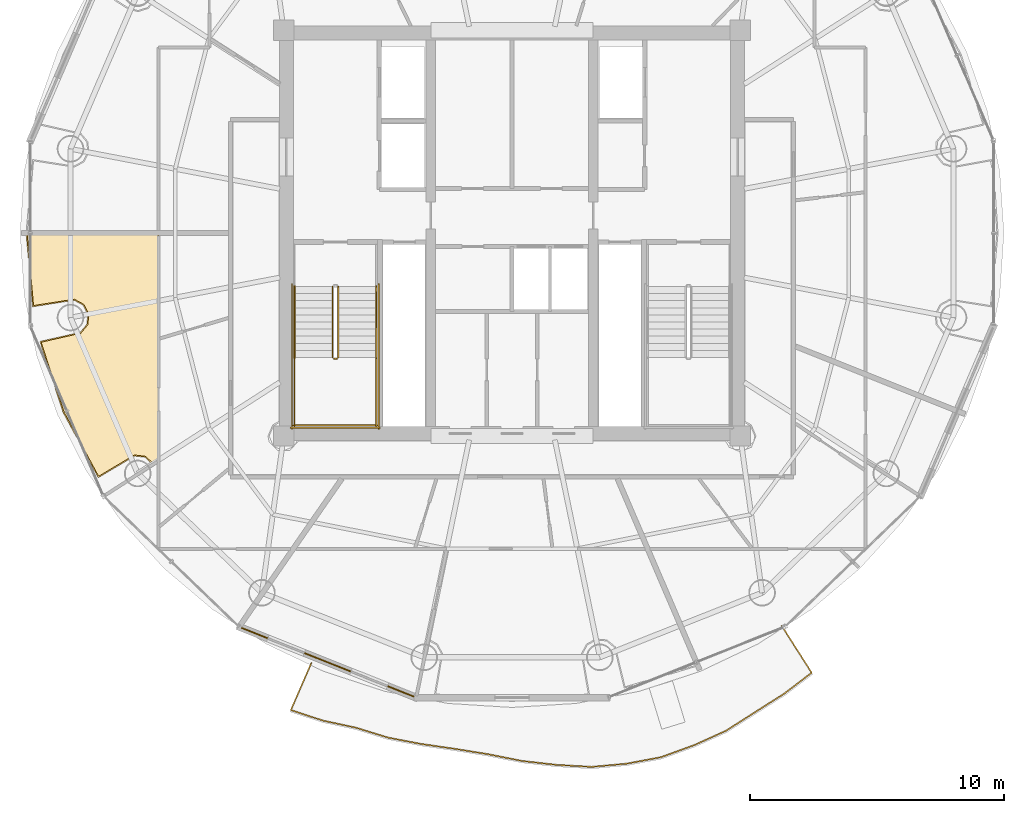
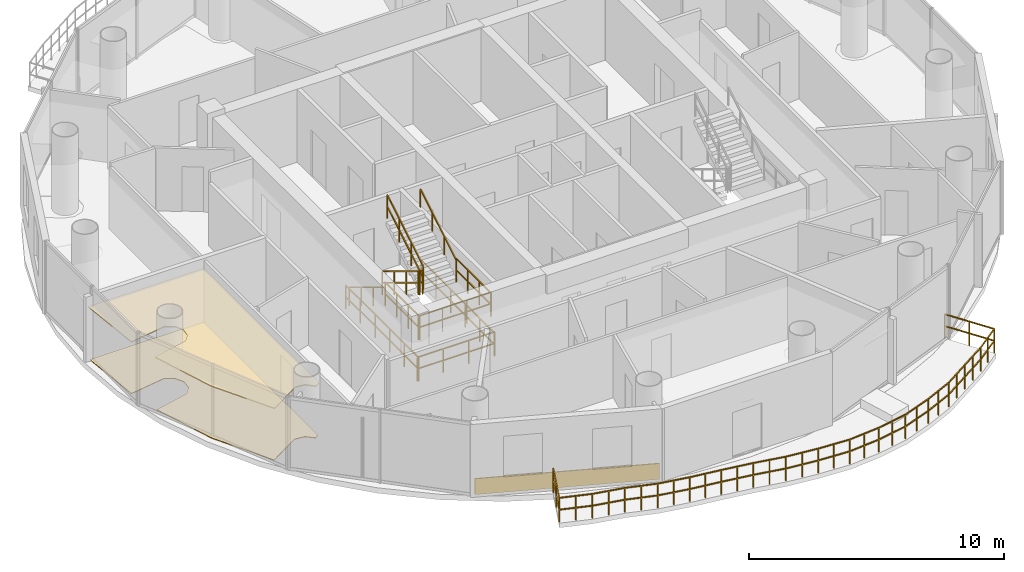
# One storey, part 22 of 24: 12 railings, 3 coverings.
"""IFC4 building model written with IfcOpenShell, lengths in metres."""

from ifc_helpers import new_model, si_unit, direction, frame, origin, origin_2d, place, context, subcontext, project, spatial, polyline, rectangle, outline, extrude, source, transform, mapped, material, layer, layer_set, type_object, element, save


model = new_model("IFC4")

# Units and contexts
model_context = context("Model", 3, precision=1e-05, world=origin(), true_north=direction((-0.2419218956, 0.970295726276)))
body_context = subcontext(model_context, "Body", "Model", "MODEL_VIEW")
ifc_project = project(units=[si_unit("LENGTHUNIT", "METRE"), si_unit("AREAUNIT", "SQUARE_METRE"), si_unit("VOLUMEUNIT", "CUBIC_METRE"), si_unit("PLANEANGLEUNIT", "RADIAN"), si_unit("MASSUNIT", "GRAM", prefix="KILO")], contexts=[model_context])

# Site, building, storey
site_placement = place(None, origin())
site = spatial("IfcSite", under=ifc_project, at=site_placement, CompositionType="ELEMENT")
building_placement = place(site_placement, origin())
building = spatial("IfcBuilding", under=site, at=building_placement, Name="Cobrevalo Terracotta Tower", CompositionType="ELEMENT")
storey_placement = place(building_placement, frame((0.0, 0.0, 278.199951171875)))
storey = spatial("IfcBuildingStorey", under=building, at=storey_placement, Name="L73", CompositionType="ELEMENT", Elevation=278.199951171875)

# Railing
ifc_material_1 = material(Name="Laminated structural glass and stainless steel", Category="steel")
railing_type_1 = type_object("IfcRailingType", Name="Balcony lobe structural glass & terracotta-cap balustrade 1180 mm", PredefinedType="BALUSTRADE", material=ifc_material_1)
railing_1_placement = place(storey_placement, frame((30.087646484375, 9.855224609375, 0.0)))
element("IfcRailing", 1, at=railing_1_placement, inside=storey, type_object=railing_type_1, Name="L73 spiralling balcony lobe balustrade 2", PredefinedType="BALUSTRADE", context=body_context, shape_type="SweptSolid", body=[
    extrude(rectangle(XDim=0.048095703125, YDim=0.048095703125, at=origin_2d()), frame((0.0, 0.0, 1.15576171875), z_axis=(-0.3980433985, -0.917366585892, 0.0), x_axis=(0.917366585892, -0.3980433985, 0.0)), (0.0, 0.0, 1.0), 2.027099609375),
    extrude(rectangle(XDim=0.048095703125, YDim=0.048095703125, at=origin_2d()), frame((0.0, 0.0, 0.58984375), z_axis=(-0.3980433985, -0.917366585892, 0.0), x_axis=(0.917366585892, -0.3980433985, 0.0)), (0.0, 0.0, 1.0), 2.027099609375),
    extrude(rectangle(XDim=0.048095703125, YDim=0.048095703125, at=origin_2d()), frame((-0.806884765625, -1.859619140625, 1.15576171875), z_axis=(0.950375436629, -0.311105334978, 0.0), x_axis=(0.311105334978, 0.950375436629, 0.0)), (0.0, 0.0, 1.0), 1.3310546875),
    extrude(rectangle(XDim=0.048095703125, YDim=0.048095703125, at=origin_2d()), frame((-0.806884765625, -1.859619140625, 0.58984375), z_axis=(0.950375436629, -0.311105334978, 0.0), x_axis=(0.311105334978, 0.950375436629, 0.0)), (0.0, 0.0, 1.0), 1.3310546875),
    extrude(rectangle(XDim=0.048095703125, YDim=0.048095703125, at=origin_2d()), frame((0.4580078125, -2.273681640625, 1.15576171875), z_axis=(0.977571341188, -0.21060454147, 0.0), x_axis=(0.21060454147, 0.977571341188, 0.0)), (0.0, 0.0, 1.0), 1.3330078125),
    extrude(rectangle(XDim=0.048095703125, YDim=0.048095703125, at=origin_2d()), frame((0.4580078125, -2.273681640625, 0.58984375), z_axis=(0.977571341188, -0.21060454147, 0.0), x_axis=(0.21060454147, 0.977571341188, 0.0)), (0.0, 0.0, 1.0), 1.3330078125),
    extrude(rectangle(XDim=0.048095703125, YDim=0.048095703125, at=origin_2d()), frame((1.76123046875, -2.554443359375, 1.15576171875), z_axis=(0.955463212441, -0.295110233087, 0.0), x_axis=(0.295110233087, 0.955463212441, 0.0)), (0.0, 0.0, 1.0), 1.32275390625),
    extrude(rectangle(XDim=0.048095703125, YDim=0.048095703125, at=origin_2d()), frame((1.76123046875, -2.554443359375, 0.58984375), z_axis=(0.955463212441, -0.295110233087, 0.0), x_axis=(0.295110233087, 0.955463212441, 0.0)), (0.0, 0.0, 1.0), 1.32275390625),
    extrude(rectangle(XDim=0.048095703125, YDim=0.048095703125, at=origin_2d()), frame((3.025146484375, -2.94482421875, 1.15576171875), z_axis=(0.982024812959, -0.188751865511, 0.0), x_axis=(0.188751865511, 0.982024812959, 0.0)), (0.0, 0.0, 1.0), 1.3271484375),
    extrude(rectangle(XDim=0.048095703125, YDim=0.048095703125, at=origin_2d()), frame((3.025146484375, -2.94482421875, 0.58984375), z_axis=(0.982024812959, -0.188751865511, 0.0), x_axis=(0.188751865511, 0.982024812959, 0.0)), (0.0, 0.0, 1.0), 1.3271484375),
    extrude(rectangle(XDim=0.048095703125, YDim=0.048095703125, at=origin_2d()), frame((4.328369140625, -3.1953125, 1.15576171875), z_axis=(0.989831224707, -0.142246780617, 0.0), x_axis=(0.142246780617, 0.989831224707, 0.0)), (0.0, 0.0, 1.0), 1.324951171875),
    extrude(rectangle(XDim=0.048095703125, YDim=0.048095703125, at=origin_2d()), frame((4.328369140625, -3.1953125, 0.58984375), z_axis=(0.989831224707, -0.142246780617, 0.0), x_axis=(0.142246780617, 0.989831224707, 0.0)), (0.0, 0.0, 1.0), 1.324951171875),
    extrude(rectangle(XDim=0.048095703125, YDim=0.048095703125, at=origin_2d()), frame((5.639892578125, -3.3837890625, 1.15576171875), z_axis=(0.987153001977, -0.159777816635, 0.0), x_axis=(0.159777816635, 0.987153001977, 0.0)), (0.0, 0.0, 1.0), 1.3369140625),
    extrude(rectangle(XDim=0.048095703125, YDim=0.048095703125, at=origin_2d()), frame((5.639892578125, -3.3837890625, 0.58984375), z_axis=(0.987153001977, -0.159777816635, 0.0), x_axis=(0.159777816635, 0.987153001977, 0.0)), (0.0, 0.0, 1.0), 1.3369140625),
    extrude(rectangle(XDim=0.048095703125, YDim=0.048095703125, at=origin_2d()), frame((6.959716796875, -3.597412109375, 1.15576171875), z_axis=(0.980841492671, -0.194807510775, 0.0), x_axis=(0.194807510775, 0.980841492671, 0.0)), (0.0, 0.0, 1.0), 1.363525390625),
    extrude(rectangle(XDim=0.048095703125, YDim=0.048095703125, at=origin_2d()), frame((6.959716796875, -3.597412109375, 0.58984375), z_axis=(0.980841492671, -0.194807510775, 0.0), x_axis=(0.194807510775, 0.980841492671, 0.0)), (0.0, 0.0, 1.0), 1.363525390625),
    extrude(rectangle(XDim=0.048095703125, YDim=0.048095703125, at=origin_2d()), frame((8.297119140625, -3.863037109375, 1.15576171875), z_axis=(0.993523513366, -0.113626706318, 0.0), x_axis=(0.113626706318, 0.993523513366, 0.0)), (0.0, 0.0, 1.0), 1.375),
    extrude(rectangle(XDim=0.048095703125, YDim=0.048095703125, at=origin_2d()), frame((8.297119140625, -3.863037109375, 0.58984375), z_axis=(0.993523513366, -0.113626706318, 0.0), x_axis=(0.113626706318, 0.993523513366, 0.0)), (0.0, 0.0, 1.0), 1.375),
    extrude(rectangle(XDim=0.048095703125, YDim=0.048095703125, at=origin_2d()), frame((9.663330078125, -4.019287109375, 1.15576171875), z_axis=(0.998364169399, -0.057175040538, 0.0), x_axis=(0.057175040538, 0.998364169399, 0.0)), (0.0, 0.0, 1.0), 1.3876953125),
    extrude(rectangle(XDim=0.048095703125, YDim=0.048095703125, at=origin_2d()), frame((9.663330078125, -4.019287109375, 0.58984375), z_axis=(0.998364169399, -0.057175040538, 0.0), x_axis=(0.057175040538, 0.998364169399, 0.0)), (0.0, 0.0, 1.0), 1.3876953125),
    extrude(rectangle(XDim=0.048095703125, YDim=0.048095703125, at=origin_2d()), frame((11.048828125, -4.0986328125, 1.15576171875), z_axis=(0.995881631973, 0.090662975351, 0.0), x_axis=(-0.090662975351, 0.995881631973, 0.0)), (0.0, 0.0, 1.0), 1.384033203125),
    extrude(rectangle(XDim=0.048095703125, YDim=0.048095703125, at=origin_2d()), frame((11.048828125, -4.0986328125, 0.58984375), z_axis=(0.995881631973, 0.090662975351, 0.0), x_axis=(-0.090662975351, 0.995881631973, 0.0)), (0.0, 0.0, 1.0), 1.384033203125),
    extrude(rectangle(XDim=0.048095703125, YDim=0.048095703125, at=origin_2d()), frame((12.42724609375, -3.97314453125, 1.15576171875), z_axis=(0.982716156849, 0.185118759363, 0.0), x_axis=(-0.185118759363, 0.982716156849, 0.0)), (0.0, 0.0, 1.0), 1.384765625),
    extrude(rectangle(XDim=0.048095703125, YDim=0.048095703125, at=origin_2d()), frame((12.42724609375, -3.97314453125, 0.58984375), z_axis=(0.982716156849, 0.185118759363, 0.0), x_axis=(-0.185118759363, 0.982716156849, 0.0)), (0.0, 0.0, 1.0), 1.384765625),
    extrude(rectangle(XDim=0.048095703125, YDim=0.048095703125, at=origin_2d()), frame((13.7880859375, -3.716796875, 1.15576171875), z_axis=(0.939839758475, 0.341615614968, 0.0), x_axis=(-0.341615614968, 0.939839758475, 0.0)), (0.0, 0.0, 1.0), 1.38427734375),
    extrude(rectangle(XDim=0.048095703125, YDim=0.048095703125, at=origin_2d()), frame((13.7880859375, -3.716796875, 0.58984375), z_axis=(0.939839758475, 0.341615614968, 0.0), x_axis=(-0.341615614968, 0.939839758475, 0.0)), (0.0, 0.0, 1.0), 1.38427734375),
    extrude(rectangle(XDim=0.048095703125, YDim=0.048095703125, at=origin_2d()), frame((15.089111328125, -3.243896484375, 1.15576171875), z_axis=(0.911327761932, 0.411681564236, 0.0), x_axis=(-0.411681564236, 0.911327761932, 0.0)), (0.0, 0.0, 1.0), 1.37939453125),
    extrude(rectangle(XDim=0.048095703125, YDim=0.048095703125, at=origin_2d()), frame((15.089111328125, -3.243896484375, 0.58984375), z_axis=(0.911327761932, 0.411681564236, 0.0), x_axis=(-0.411681564236, 0.911327761932, 0.0)), (0.0, 0.0, 1.0), 1.37939453125),
    extrude(rectangle(XDim=0.048095703125, YDim=0.048095703125, at=origin_2d()), frame((16.34619140625, -2.676025390625, 1.15576171875), z_axis=(0.842618217068, 0.538511411454, 0.0), x_axis=(-0.538511411454, 0.842618217068, 0.0)), (0.0, 0.0, 1.0), 1.380126953125),
    extrude(rectangle(XDim=0.048095703125, YDim=0.048095703125, at=origin_2d()), frame((16.34619140625, -2.676025390625, 0.58984375), z_axis=(0.842618217068, 0.538511411454, 0.0), x_axis=(-0.538511411454, 0.842618217068, 0.0)), (0.0, 0.0, 1.0), 1.380126953125),
    extrude(rectangle(XDim=0.048095703125, YDim=0.048095703125, at=origin_2d()), frame((17.509033203125, -1.932861328125, 1.15576171875), z_axis=(0.844141856113, 0.536119880957, 0.0), x_axis=(-0.536119880957, 0.844141856113, 0.0)), (0.0, 0.0, 1.0), 1.359375),
    extrude(rectangle(XDim=0.048095703125, YDim=0.048095703125, at=origin_2d()), frame((17.509033203125, -1.932861328125, 0.58984375), z_axis=(0.844141856113, 0.536119880957, 0.0), x_axis=(-0.536119880957, 0.844141856113, 0.0)), (0.0, 0.0, 1.0), 1.359375),
    extrude(rectangle(XDim=0.048095703125, YDim=0.048095703125, at=origin_2d()), frame((18.656494140625, -1.2041015625, 1.15576171875), z_axis=(0.794824934225, 0.606838795673, 0.0), x_axis=(-0.606838795673, 0.794824934225, 0.0)), (0.0, 0.0, 1.0), 1.349365234375),
    extrude(rectangle(XDim=0.048095703125, YDim=0.048095703125, at=origin_2d()), frame((18.656494140625, -1.2041015625, 0.58984375), z_axis=(0.794824934225, 0.606838795673, 0.0), x_axis=(-0.606838795673, 0.794824934225, 0.0)), (0.0, 0.0, 1.0), 1.349365234375),
    extrude(rectangle(XDim=0.048095703125, YDim=0.048095703125, at=origin_2d()), frame((19.72900390625, -0.38525390625, 1.15576171875), z_axis=(-0.53815843242, 0.842843699398, 0.0), x_axis=(-0.842843699398, -0.53815843242, 0.0)), (0.0, 0.0, 1.0), 2.190673828125),
    extrude(rectangle(XDim=0.048095703125, YDim=0.048095703125, at=origin_2d()), frame((19.72900390625, -0.38525390625, 0.58984375), z_axis=(-0.53815843242, 0.842843699398, 0.0), x_axis=(-0.842843699398, -0.53815843242, 0.0)), (0.0, 0.0, 1.0), 2.190673828125),
    extrude(rectangle(XDim=0.0419921875, YDim=0.0419921875, at=origin_2d()), origin(), (0.0, 0.0, 1.0), 1.1318359375),
    extrude(rectangle(XDim=0.0419921875, YDim=0.0419921875, at=origin_2d()), frame((-0.4033203125, -0.9296875, 0.0)), (0.0, 0.0, 1.0), 1.1318359375),
    extrude(rectangle(XDim=0.0419921875, YDim=0.0419921875, at=origin_2d()), frame((-0.806884765625, -1.859619140625, 0.0)), (0.0, 0.0, 1.0), 1.1318359375),
    extrude(rectangle(XDim=0.0419921875, YDim=0.0419921875, at=origin_2d()), frame((-0.17431640625, -2.066650390625, 0.0)), (0.0, 0.0, 1.0), 1.1318359375),
    extrude(rectangle(XDim=0.0419921875, YDim=0.0419921875, at=origin_2d()), frame((0.4580078125, -2.273681640625, 0.0)), (0.0, 0.0, 1.0), 1.1318359375),
    extrude(rectangle(XDim=0.0419921875, YDim=0.0419921875, at=origin_2d()), frame((1.109619140625, -2.4140625, 0.0)), (0.0, 0.0, 1.0), 1.1318359375),
    extrude(rectangle(XDim=0.0419921875, YDim=0.0419921875, at=origin_2d()), frame((1.76123046875, -2.554443359375, 0.0)), (0.0, 0.0, 1.0), 1.1318359375),
    extrude(rectangle(XDim=0.0419921875, YDim=0.0419921875, at=origin_2d()), frame((2.39306640625, -2.74951171875, 0.0)), (0.0, 0.0, 1.0), 1.1318359375),
    extrude(rectangle(XDim=0.0419921875, YDim=0.0419921875, at=origin_2d()), frame((3.025146484375, -2.94482421875, 0.0)), (0.0, 0.0, 1.0), 1.1318359375),
    extrude(rectangle(XDim=0.0419921875, YDim=0.0419921875, at=origin_2d()), frame((3.6767578125, -3.070068359375, 0.0)), (0.0, 0.0, 1.0), 1.1318359375),
    extrude(rectangle(XDim=0.0419921875, YDim=0.0419921875, at=origin_2d()), frame((4.328369140625, -3.1953125, 0.0)), (0.0, 0.0, 1.0), 1.1318359375),
    extrude(rectangle(XDim=0.0419921875, YDim=0.0419921875, at=origin_2d()), frame((4.984130859375, -3.28955078125, 0.0)), (0.0, 0.0, 1.0), 1.1318359375),
    extrude(rectangle(XDim=0.0419921875, YDim=0.0419921875, at=origin_2d()), frame((5.639892578125, -3.3837890625, 0.0)), (0.0, 0.0, 1.0), 1.1318359375),
    extrude(rectangle(XDim=0.0419921875, YDim=0.0419921875, at=origin_2d()), frame((6.2998046875, -3.49072265625, 0.0)), (0.0, 0.0, 1.0), 1.1318359375),
    extrude(rectangle(XDim=0.0419921875, YDim=0.0419921875, at=origin_2d()), frame((6.959716796875, -3.597412109375, 0.0)), (0.0, 0.0, 1.0), 1.1318359375),
    extrude(rectangle(XDim=0.0419921875, YDim=0.0419921875, at=origin_2d()), frame((7.62841796875, -3.730224609375, 0.0)), (0.0, 0.0, 1.0), 1.1318359375),
    extrude(rectangle(XDim=0.0419921875, YDim=0.0419921875, at=origin_2d()), frame((8.297119140625, -3.863037109375, 0.0)), (0.0, 0.0, 1.0), 1.1318359375),
    extrude(rectangle(XDim=0.0419921875, YDim=0.0419921875, at=origin_2d()), frame((8.980224609375, -3.941162109375, 0.0)), (0.0, 0.0, 1.0), 1.1318359375),
    extrude(rectangle(XDim=0.0419921875, YDim=0.0419921875, at=origin_2d()), frame((9.663330078125, -4.019287109375, 0.0)), (0.0, 0.0, 1.0), 1.1318359375),
    extrude(rectangle(XDim=0.0419921875, YDim=0.0419921875, at=origin_2d()), frame((10.35595703125, -4.05908203125, 0.0)), (0.0, 0.0, 1.0), 1.1318359375),
    extrude(rectangle(XDim=0.0419921875, YDim=0.0419921875, at=origin_2d()), frame((11.048828125, -4.0986328125, 0.0)), (0.0, 0.0, 1.0), 1.1318359375),
    extrude(rectangle(XDim=0.0419921875, YDim=0.0419921875, at=origin_2d()), frame((11.738037109375, -4.035888671875, 0.0)), (0.0, 0.0, 1.0), 1.1318359375),
    extrude(rectangle(XDim=0.0419921875, YDim=0.0419921875, at=origin_2d()), frame((12.42724609375, -3.97314453125, 0.0)), (0.0, 0.0, 1.0), 1.1318359375),
    extrude(rectangle(XDim=0.0419921875, YDim=0.0419921875, at=origin_2d()), frame((13.107666015625, -3.844970703125, 0.0)), (0.0, 0.0, 1.0), 1.1318359375),
    extrude(rectangle(XDim=0.0419921875, YDim=0.0419921875, at=origin_2d()), frame((13.7880859375, -3.716796875, 0.0)), (0.0, 0.0, 1.0), 1.1318359375),
    extrude(rectangle(XDim=0.0419921875, YDim=0.0419921875, at=origin_2d()), frame((14.4384765625, -3.48046875, 0.0)), (0.0, 0.0, 1.0), 1.1318359375),
    extrude(rectangle(XDim=0.0419921875, YDim=0.0419921875, at=origin_2d()), frame((15.089111328125, -3.243896484375, 0.0)), (0.0, 0.0, 1.0), 1.1318359375),
    extrude(rectangle(XDim=0.0419921875, YDim=0.0419921875, at=origin_2d()), frame((15.7177734375, -2.9599609375, 0.0)), (0.0, 0.0, 1.0), 1.1318359375),
    extrude(rectangle(XDim=0.0419921875, YDim=0.0419921875, at=origin_2d()), frame((16.34619140625, -2.676025390625, 0.0)), (0.0, 0.0, 1.0), 1.1318359375),
    extrude(rectangle(XDim=0.0419921875, YDim=0.0419921875, at=origin_2d()), frame((16.927734375, -2.304443359375, 0.0)), (0.0, 0.0, 1.0), 1.1318359375),
    extrude(rectangle(XDim=0.0419921875, YDim=0.0419921875, at=origin_2d()), frame((17.509033203125, -1.932861328125, 0.0)), (0.0, 0.0, 1.0), 1.1318359375),
    extrude(rectangle(XDim=0.0419921875, YDim=0.0419921875, at=origin_2d()), frame((18.082763671875, -1.568359375, 0.0)), (0.0, 0.0, 1.0), 1.1318359375),
    extrude(rectangle(XDim=0.0419921875, YDim=0.0419921875, at=origin_2d()), frame((18.656494140625, -1.2041015625, 0.0)), (0.0, 0.0, 1.0), 1.1318359375),
    extrude(rectangle(XDim=0.0419921875, YDim=0.0419921875, at=origin_2d()), frame((19.19287109375, -0.794677734375, 0.0)), (0.0, 0.0, 1.0), 1.1318359375),
    extrude(rectangle(XDim=0.0419921875, YDim=0.0419921875, at=origin_2d()), frame((19.72900390625, -0.38525390625, 0.0)), (0.0, 0.0, 1.0), 1.1318359375),
    extrude(rectangle(XDim=0.0419921875, YDim=0.0419921875, at=origin_2d()), frame((19.1396484375, 0.5380859375, 0.0)), (0.0, 0.0, 1.0), 1.1318359375),
    extrude(rectangle(XDim=0.0419921875, YDim=0.0419921875, at=origin_2d()), frame((18.550048828125, 1.461181640625, 0.0)), (0.0, 0.0, 1.0), 1.1318359375),
])

# Coverings
ifc_material_2 = material(Name="Engineered Brazilian hardwood flooring", Category="wood")
ifc_layer_1 = layer(ifc_material_2, 0.028076171875)
ifc_layer_set_1 = layer_set([ifc_layer_1], Name="Engineered Brazilian hardwood flooring")
covering_type_1 = type_object("IfcCoveringType", Name="Engineered Hardwood Suite Flooring 28", PredefinedType="FLOORING", material=ifc_layer_set_1)
covering_1_placement = place(storey_placement, origin())
element("IfcCovering", 2, at=covering_1_placement, inside=storey, type_object=covering_type_1, Name="Flat L73B Living and Dining Room floor finish", PredefinedType="FLOORING", context=body_context, shape_type="SweptSolid", body=[
    extrude(outline(polyline([(20.33544921875, 19.751220703125), (19.43505859375, 22.49951171875), (20.99755859375, 22.855224609375), (21.272705078125, 23.185302734375), (21.318115234375, 23.612548828125), (21.118408203125, 23.9931640625), (20.740966796875, 24.198486328125), (19.1357421875, 23.948974609375), (18.88134765625, 26.780029296875), (24.034912109375, 26.780029296875), (24.034912109375, 17.829345703125), (23.864501953125, 17.719482421875), (23.537109375, 18.005859375), (23.1103515625, 18.055908203125), (21.699951171875, 17.217529296875), (20.33544921875, 19.751220703125)])), origin(), (0.0, 0.0, 1.0), 0.030029296875),
])
ifc_material_3 = material(Name="Acoustic perforated gypsum ceiling", Category="gypsum")
ifc_layer_2 = layer(ifc_material_3, 0.050048828125)
ifc_layer_set_2 = layer_set([ifc_layer_2], Name="Acoustic perforated gypsum ceiling")
covering_type_2 = type_object("IfcCoveringType", Name="Perforated Acoustic Gypsum Ceiling 50", PredefinedType="CEILING", material=ifc_layer_set_2)
covering_2_placement = place(storey_placement, frame((0.0, 0.0, 2.5)))
element("IfcCovering", 3, at=covering_2_placement, inside=storey, type_object=covering_type_2, Name="Flat L73B Living and Dining Room acoustic ceiling", PredefinedType="CEILING", context=body_context, shape_type="SweptSolid", body=[
    extrude(outline(polyline([(20.2939453125, 19.7333984375), (19.3818359375, 22.53515625), (20.97265625, 22.89306640625), (21.23095703125, 23.202880859375), (21.273681640625, 23.60400390625), (21.086181640625, 23.96142578125), (20.731689453125, 24.154296875), (19.100830078125, 23.896484375), (18.833251953125, 26.824951171875), (24.080078125, 26.824951171875), (24.080078125, 17.804931640625), (23.853271484375, 17.658935546875), (23.51904296875, 17.964599609375), (23.118408203125, 18.011474609375), (21.687744140625, 17.15625), (20.2939453125, 19.7333984375)])), origin(), (0.0, 0.0, 1.0), 0.050048828125),
])

# Railings
ifc_material_4 = material(Name="Brushed stainless steel", Category="steel")
railing_type_2 = type_object("IfcRailingType", Name="Stainless Steel Stair Handrail 900", PredefinedType="HANDRAIL", material=ifc_material_4)
railing_2_placement = place(storey_placement, frame((29.425048828125, 24.699951171875, 0.17041015625)))
element("IfcRailing", 4, at=railing_2_placement, inside=storey, type_object=railing_type_2, Name="L73 ST-1 stair handrail 1", PredefinedType="HANDRAIL", context=body_context, shape_type="SweptSolid", body=[
    extrude(rectangle(XDim=0.048095703125, YDim=0.048095703125, at=origin_2d()), frame((0.0, 0.0, 0.8759765625), z_axis=(0.0, -0.854169791009, 0.51999420009), x_axis=(1.0, 0.0, 0.0)), (0.0, 0.0, 1.0), 3.278076171875),
    extrude(rectangle(XDim=0.0419921875, YDim=0.0419921875, at=origin_2d()), origin(), (0.0, 0.0, 1.0), 0.851806640625),
    extrude(rectangle(XDim=0.0419921875, YDim=0.0419921875, at=origin_2d()), frame((0.0, -0.933349609375, 0.568115234375)), (0.0, 0.0, 1.0), 0.851806640625),
    extrude(rectangle(XDim=0.0419921875, YDim=0.0419921875, at=origin_2d()), frame((0.0, -1.86669921875, 1.136474609375)), (0.0, 0.0, 1.0), 0.851806640625),
    extrude(rectangle(XDim=0.0419921875, YDim=0.0419921875, at=origin_2d()), frame((0.0, -2.800048828125, 1.70458984375)), (0.0, 0.0, 1.0), 0.851806640625),
])
railing_3_placement = place(storey_placement, frame((32.64501953125, 21.89990234375, 2.04541015625)))
element("IfcRailing", 5, at=railing_3_placement, inside=storey, type_object=railing_type_2, Name="L73 ST-1 stair handrail 2", PredefinedType="HANDRAIL", context=body_context, shape_type="SweptSolid", body=[
    extrude(rectangle(XDim=0.048095703125, YDim=0.048095703125, at=origin_2d()), frame((0.0, 0.0, 0.8759765625), z_axis=(0.0, 0.854169791009, 0.51999420009), x_axis=(-1.0, 0.0, 0.0)), (0.0, 0.0, 1.0), 3.278076171875),
    extrude(rectangle(XDim=0.0419921875, YDim=0.0419921875, at=origin_2d()), origin(), (0.0, 0.0, 1.0), 0.851806640625),
    extrude(rectangle(XDim=0.0419921875, YDim=0.0419921875, at=origin_2d()), frame((0.0, 0.933349609375, 0.568115234375)), (0.0, 0.0, 1.0), 0.851806640625),
    extrude(rectangle(XDim=0.0419921875, YDim=0.0419921875, at=origin_2d()), frame((0.0, 1.86669921875, 1.136474609375)), (0.0, 0.0, 1.0), 0.851806640625),
    extrude(rectangle(XDim=0.0419921875, YDim=0.0419921875, at=origin_2d()), frame((0.0, 2.800048828125, 1.70458984375)), (0.0, 0.0, 1.0), 0.851806640625),
])
ifc_material_5 = material(Name="Painted galvanized steel", Category="steel")
railing_type_3 = type_object("IfcRailingType", Name="Stair Well Guard Balustrade 1150", PredefinedType="GUARDRAIL", material=ifc_material_5)
railing_4_placement = place(storey_placement, frame((30.925048828125, 24.699951171875, 0.17041015625)))
element("IfcRailing", 6, at=railing_4_placement, inside=storey, type_object=railing_type_3, Name="L73 ST-1 stair guard 1", PredefinedType="GUARDRAIL", context=body_context, shape_type="SweptSolid", body=[
    extrude(rectangle(XDim=0.048095703125, YDim=0.048095703125, at=origin_2d()), frame((0.0, 0.0, 1.1259765625), z_axis=(0.0, -0.854169791009, 0.51999420009), x_axis=(1.0, 0.0, 0.0)), (0.0, 0.0, 1.0), 3.278076171875),
    extrude(rectangle(XDim=0.048095703125, YDim=0.048095703125, at=origin_2d()), frame((0.0, 0.0, 0.574951171875), z_axis=(0.0, -0.854169791009, 0.51999420009), x_axis=(1.0, 0.0, 0.0)), (0.0, 0.0, 1.0), 3.278076171875),
    extrude(rectangle(XDim=0.0419921875, YDim=0.0419921875, at=origin_2d()), origin(), (0.0, 0.0, 1.0), 1.101806640625),
    extrude(rectangle(XDim=0.0419921875, YDim=0.0419921875, at=origin_2d()), frame((0.0, -0.933349609375, 0.568115234375)), (0.0, 0.0, 1.0), 1.101806640625),
    extrude(rectangle(XDim=0.0419921875, YDim=0.0419921875, at=origin_2d()), frame((0.0, -1.86669921875, 1.136474609375)), (0.0, 0.0, 1.0), 1.101806640625),
    extrude(rectangle(XDim=0.0419921875, YDim=0.0419921875, at=origin_2d()), frame((0.0, -2.800048828125, 1.70458984375)), (0.0, 0.0, 1.0), 1.101806640625),
])
railing_5_placement = place(storey_placement, frame((30.97509765625, 21.85009765625, 1.875)))
element("IfcRailing", 7, at=railing_5_placement, inside=storey, type_object=railing_type_3, Name="L73 ST-1 stair guard 2", PredefinedType="GUARDRAIL", context=body_context, shape_type="SweptSolid", body=[
    extrude(rectangle(XDim=0.048095703125, YDim=0.048095703125, at=origin_2d()), frame((0.0, 0.0, 1.1259765625), z_axis=(1.0, 0.0, 0.0), x_axis=(0.0, 1.0, 0.0)), (0.0, 0.0, 1.0), 0.119873046875),
    extrude(rectangle(XDim=0.048095703125, YDim=0.048095703125, at=origin_2d()), frame((0.0, 0.0, 0.574951171875), z_axis=(1.0, 0.0, 0.0), x_axis=(0.0, 1.0, 0.0)), (0.0, 0.0, 1.0), 0.119873046875),
    extrude(rectangle(XDim=0.0419921875, YDim=0.0419921875, at=origin_2d()), origin(), (0.0, 0.0, 1.0), 1.101806640625),
    extrude(rectangle(XDim=0.0419921875, YDim=0.0419921875, at=origin_2d()), frame((0.119873046875, 0.0, 0.0)), (0.0, 0.0, 1.0), 1.101806640625),
])
for number, where, name in (
    (8, (29.425048828125, 21.89990234375, 1.875), "L73 ST-1 stair guard 3"),
    (9, (32.64501953125, 21.89990234375, 1.875), "L73 ST-1 stair guard 4"),
):
    element("IfcRailing", number, at=place(storey_placement, frame(where)), inside=storey, type_object=railing_type_3, Name=name, PredefinedType="GUARDRAIL", context=body_context, shape_type="SweptSolid", body=[
        extrude(rectangle(XDim=0.048095703125, YDim=0.048095703125, at=origin_2d()), frame((0.0, 0.0, 1.1259765625), z_axis=(0.0, -1.0, 0.0), x_axis=(1.0, 0.0, 0.0)), (0.0, 0.0, 1.0), 2.724853515625),
        extrude(rectangle(XDim=0.048095703125, YDim=0.048095703125, at=origin_2d()), frame((0.0, 0.0, 0.574951171875), z_axis=(0.0, -1.0, 0.0), x_axis=(1.0, 0.0, 0.0)), (0.0, 0.0, 1.0), 2.724853515625),
        extrude(rectangle(XDim=0.0419921875, YDim=0.0419921875, at=origin_2d()), origin(), (0.0, 0.0, 1.0), 1.101806640625),
        extrude(rectangle(XDim=0.0419921875, YDim=0.0419921875, at=origin_2d()), frame((0.0, -0.908203125, 0.0)), (0.0, 0.0, 1.0), 1.101806640625),
        extrude(rectangle(XDim=0.0419921875, YDim=0.0419921875, at=origin_2d()), frame((0.0, -1.816650390625, 0.0)), (0.0, 0.0, 1.0), 1.101806640625),
        extrude(rectangle(XDim=0.0419921875, YDim=0.0419921875, at=origin_2d()), frame((0.0, -2.724853515625, 0.0)), (0.0, 0.0, 1.0), 1.101806640625),
    ])
railing_6_placement = place(storey_placement, frame((29.375, 19.22509765625, 1.875)))
element("IfcRailing", 10, at=railing_6_placement, inside=storey, type_object=railing_type_3, Name="L73 ST-1 stair guard 5", PredefinedType="GUARDRAIL", context=body_context, shape_type="SweptSolid", body=[
    extrude(rectangle(XDim=0.048095703125, YDim=0.048095703125, at=origin_2d()), frame((0.0, 0.0, 1.1259765625), z_axis=(1.0, 0.0, 0.0), x_axis=(0.0, 1.0, 0.0)), (0.0, 0.0, 1.0), 3.320068359375),
    extrude(rectangle(XDim=0.048095703125, YDim=0.048095703125, at=origin_2d()), frame((0.0, 0.0, 0.574951171875), z_axis=(1.0, 0.0, 0.0), x_axis=(0.0, 1.0, 0.0)), (0.0, 0.0, 1.0), 3.320068359375),
    extrude(rectangle(XDim=0.0419921875, YDim=0.0419921875, at=origin_2d()), origin(), (0.0, 0.0, 1.0), 1.101806640625),
    extrude(rectangle(XDim=0.0419921875, YDim=0.0419921875, at=origin_2d()), frame((1.106689453125, 0.0, 0.0)), (0.0, 0.0, 1.0), 1.101806640625),
    extrude(rectangle(XDim=0.0419921875, YDim=0.0419921875, at=origin_2d()), frame((2.21337890625, 0.0, 0.0)), (0.0, 0.0, 1.0), 1.101806640625),
    extrude(rectangle(XDim=0.0419921875, YDim=0.0419921875, at=origin_2d()), frame((3.320068359375, 0.0, 0.0)), (0.0, 0.0, 1.0), 1.101806640625),
])
railing_7_placement = place(storey_placement, frame((31.14501953125, 21.89990234375, 2.04541015625)))
element("IfcRailing", 11, at=railing_7_placement, inside=storey, type_object=railing_type_3, Name="L73 ST-1 stair guard 6", PredefinedType="GUARDRAIL", context=body_context, shape_type="SweptSolid", body=[
    extrude(rectangle(XDim=0.048095703125, YDim=0.048095703125, at=origin_2d()), frame((0.0, 0.0, 1.1259765625), z_axis=(0.0, 0.854169791009, 0.51999420009), x_axis=(-1.0, 0.0, 0.0)), (0.0, 0.0, 1.0), 3.278076171875),
    extrude(rectangle(XDim=0.048095703125, YDim=0.048095703125, at=origin_2d()), frame((0.0, 0.0, 0.574951171875), z_axis=(0.0, 0.854169791009, 0.51999420009), x_axis=(-1.0, 0.0, 0.0)), (0.0, 0.0, 1.0), 3.278076171875),
    extrude(rectangle(XDim=0.0419921875, YDim=0.0419921875, at=origin_2d()), origin(), (0.0, 0.0, 1.0), 1.101806640625),
    extrude(rectangle(XDim=0.0419921875, YDim=0.0419921875, at=origin_2d()), frame((0.0, 0.933349609375, 0.568115234375)), (0.0, 0.0, 1.0), 1.101806640625),
    extrude(rectangle(XDim=0.0419921875, YDim=0.0419921875, at=origin_2d()), frame((0.0, 1.86669921875, 1.136474609375)), (0.0, 0.0, 1.0), 1.101806640625),
    extrude(rectangle(XDim=0.0419921875, YDim=0.0419921875, at=origin_2d()), frame((0.0, 2.800048828125, 1.70458984375)), (0.0, 0.0, 1.0), 1.101806640625),
])
for number, where, name in (
    (12, (29.324951171875, 24.800048828125, 0.0), "L73 ST-1 stair guard 10"),
    (13, (32.7451171875, 24.800048828125, 0.0), "L73 ST-1 stair guard 11"),
):
    element("IfcRailing", number, at=place(storey_placement, frame(where)), inside=storey, type_object=railing_type_3, Name=name, PredefinedType="GUARDRAIL", context=body_context, shape_type="SweptSolid", body=[
        extrude(rectangle(XDim=0.048095703125, YDim=0.048095703125, at=origin_2d()), frame((0.0, 0.0, 1.1259765625), z_axis=(0.0, -1.0, 0.0), x_axis=(1.0, 0.0, 0.0)), (0.0, 0.0, 1.0), 5.72509765625),
        extrude(rectangle(XDim=0.048095703125, YDim=0.048095703125, at=origin_2d()), frame((0.0, 0.0, 0.574951171875), z_axis=(0.0, -1.0, 0.0), x_axis=(1.0, 0.0, 0.0)), (0.0, 0.0, 1.0), 5.72509765625),
        extrude(rectangle(XDim=0.0419921875, YDim=0.0419921875, at=origin_2d()), origin(), (0.0, 0.0, 1.0), 1.101806640625),
        extrude(rectangle(XDim=0.0419921875, YDim=0.0419921875, at=origin_2d()), frame((0.0, -1.14501953125, 0.0)), (0.0, 0.0, 1.0), 1.101806640625),
        extrude(rectangle(XDim=0.0419921875, YDim=0.0419921875, at=origin_2d()), frame((0.0, -2.2900390625, 0.0)), (0.0, 0.0, 1.0), 1.101806640625),
        extrude(rectangle(XDim=0.0419921875, YDim=0.0419921875, at=origin_2d()), frame((0.0, -3.43505859375, 0.0)), (0.0, 0.0, 1.0), 1.101806640625),
        extrude(rectangle(XDim=0.0419921875, YDim=0.0419921875, at=origin_2d()), frame((0.0, -4.580078125, 0.0)), (0.0, 0.0, 1.0), 1.101806640625),
        extrude(rectangle(XDim=0.0419921875, YDim=0.0419921875, at=origin_2d()), frame((0.0, -5.72509765625, 0.0)), (0.0, 0.0, 1.0), 1.101806640625),
    ])
railing_8_placement = place(storey_placement, frame((29.27490234375, 19.125, 0.0)))
element("IfcRailing", 14, at=railing_8_placement, inside=storey, type_object=railing_type_3, Name="L73 ST-1 stair guard 12", PredefinedType="GUARDRAIL", context=body_context, shape_type="SweptSolid", body=[
    extrude(rectangle(XDim=0.048095703125, YDim=0.048095703125, at=origin_2d()), frame((0.0, 0.0, 1.1259765625), z_axis=(1.0, 0.0, 0.0), x_axis=(0.0, 1.0, 0.0)), (0.0, 0.0, 1.0), 3.52001953125),
    extrude(rectangle(XDim=0.048095703125, YDim=0.048095703125, at=origin_2d()), frame((0.0, 0.0, 0.574951171875), z_axis=(1.0, 0.0, 0.0), x_axis=(0.0, 1.0, 0.0)), (0.0, 0.0, 1.0), 3.52001953125),
    extrude(rectangle(XDim=0.0419921875, YDim=0.0419921875, at=origin_2d()), origin(), (0.0, 0.0, 1.0), 1.101806640625),
    extrude(rectangle(XDim=0.0419921875, YDim=0.0419921875, at=origin_2d()), frame((1.17333984375, 0.0, 0.0)), (0.0, 0.0, 1.0), 1.101806640625),
    extrude(rectangle(XDim=0.0419921875, YDim=0.0419921875, at=origin_2d()), frame((2.3466796875, 0.0, 0.0)), (0.0, 0.0, 1.0), 1.101806640625),
    extrude(rectangle(XDim=0.0419921875, YDim=0.0419921875, at=origin_2d()), frame((3.52001953125, 0.0, 0.0)), (0.0, 0.0, 1.0), 1.101806640625),
])

# Covering
ifc_material_6 = material(Name="Glazed terracotta facade cladding tile", Category="masonry")
ifc_layer_3 = layer(ifc_material_6, 0.044921875)
ifc_layer_set_3 = layer_set([ifc_layer_3], Name="Glazed terracotta facade cladding tile")
covering_type_3 = type_object("IfcCoveringType", Name="Architectural terracotta rainscreen spandrel cladding 45 mm", PredefinedType="CLADDING", material=ifc_layer_set_3)
shared_shape = source(origin(), body_context, "Body", "SweptSolid", [
    extrude(rectangle(XDim=7.318359375, YDim=0.044921875, at=origin_2d()), origin(), (0.0, 0.0, 1.0), 0.760009765625),
])
covering_3_placement = place(storey_placement, frame((30.729736328125, 9.882568359375, 0.0400390625), z_axis=(0.0, 0.0, 1.0), x_axis=(0.92871833374, -0.370785998353, 0.0)))
element("IfcCovering", 15, at=covering_3_placement, inside=storey, type_object=covering_type_3, Name="L73 terracotta spandrel cladding S11", PredefinedType="CLADDING", context=body_context, shape_type="MappedRepresentation", body=[
    mapped(shared_shape, transform((0.0, 0.0, 0.0), scale=1.0)),
])

save(model, "model.ifc")
